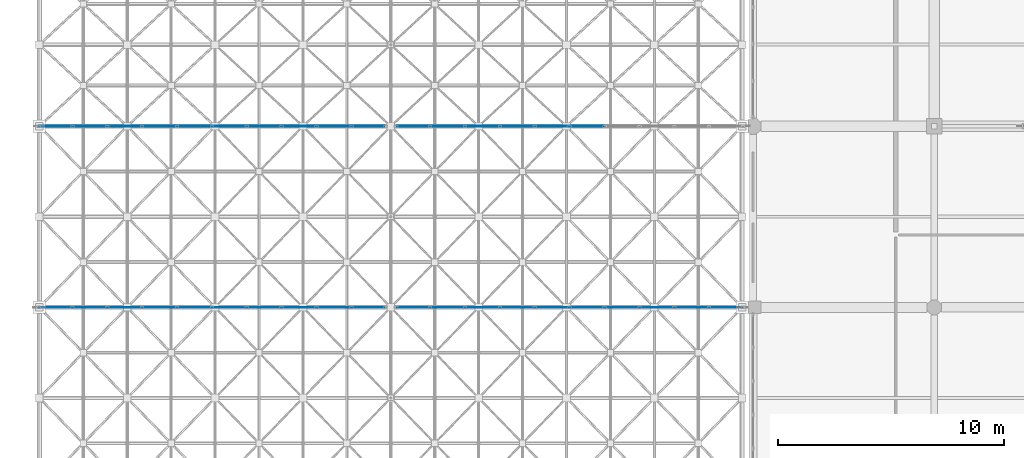
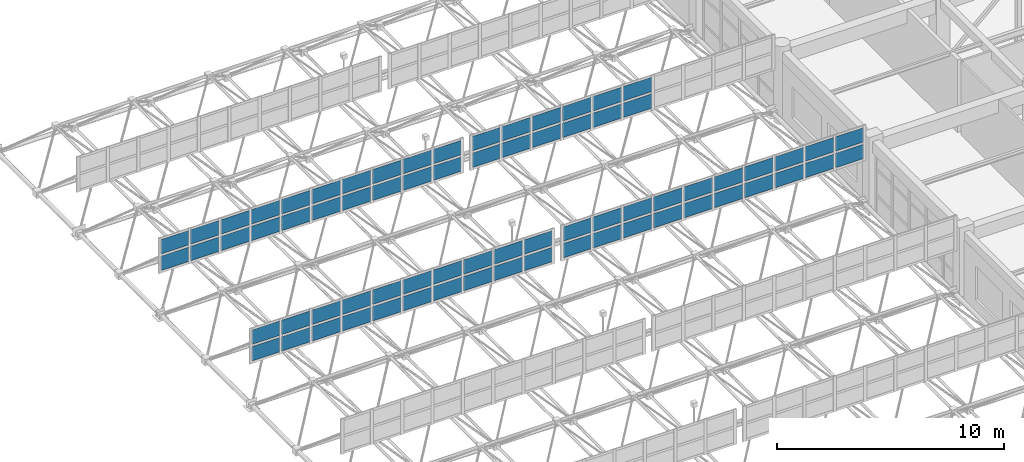
# One storey, part 148 of 195: 72 plates, 4 elements without a shape of their own.
"""IFC4 building model written with IfcOpenShell, lengths in metres."""

from ifc_helpers import new_model, si_unit, direction, frame, origin, origin_2d, place, context, subcontext, project, spatial, rectangle, extrude, material, layer, layer_set, type_object, element, aggregate, save


model = new_model("IFC4")

# Units and contexts
model_context = context("Model", 3, precision=1e-05, world=origin(), true_north=direction((0.0, 1.0)))
body_context = subcontext(model_context, "Body", "Model", "MODEL_VIEW")
ifc_project = project(units=[si_unit("LENGTHUNIT", "METRE"), si_unit("AREAUNIT", "SQUARE_METRE"), si_unit("VOLUMEUNIT", "CUBIC_METRE"), si_unit("PLANEANGLEUNIT", "RADIAN"), si_unit("MASSUNIT", "GRAM", prefix="KILO")], contexts=[model_context])

# Site, building, storey
site_placement = place(None, origin())
site = spatial("IfcSite", under=ifc_project, at=site_placement, CompositionType="ELEMENT")
building_placement = place(site_placement, origin())
building = spatial("IfcBuilding", under=site, at=building_placement, Name="Kharva Crest Polytechnic", CompositionType="ELEMENT")
storey_placement = place(building_placement, frame((0.0, 0.0, 9.0)))
storey = spatial("IfcBuildingStorey", under=building, at=storey_placement, Name="L02", CompositionType="ELEMENT", Elevation=9.0)

# Curtain wall, plates
ifc_material = material(Name="Tempered insulated glass", Category="glass")
curtain_wall_type = type_object("IfcCurtainWallType", Name="CW-SYS-NORTHLIGHT", PredefinedType="USERDEFINED", material=ifc_material)
curtain_wall_1_placement = place(storey_placement, origin())
curtain_wall_1 = element("IfcCurtainWall", 1, at=curtain_wall_1_placement, inside=storey, type_object=curtain_wall_type, Name="L02 Glazed Curtain Wall CW-195", ObjectType="CURTAIN WALL", PredefinedType="USERDEFINED")
ifc_layer = layer(ifc_material, 0.028076171875, Name="Tempered insulated glass")
ifc_layer_set = layer_set([ifc_layer], Name="Tempered insulated glass")
plate_type = type_object("IfcPlateType", Name="CWP-GLZ-28", PredefinedType="CURTAIN_PANEL", material=ifc_layer_set)
plate_1_placement = place(storey_placement, frame((1.18994140625, 70.800048828125, 2.969970703125), z_axis=(0.0, 0.0, 1.0), x_axis=(1.0, 0.0, 0.0)))
plate_1 = element("IfcPlate", 2, at=plate_1_placement, type_object=plate_type, Name="CW-195 panel 1.1", PredefinedType="CURTAIN_PANEL", context=body_context, shape_type="SweptSolid", body=[
    extrude(rectangle(XDim=1.419921875, YDim=0.028076171875, at=origin_2d()), origin(), (0.0, 0.0, 1.0), 0.77001953125),
])
plate_2_placement = place(storey_placement, frame((1.18994140625, 70.800048828125, 3.860107421875), z_axis=(0.0, 0.0, 1.0), x_axis=(1.0, 0.0, 0.0)))
plate_2 = element("IfcPlate", 3, at=plate_2_placement, type_object=plate_type, Name="CW-195 panel 1.2", PredefinedType="CURTAIN_PANEL", context=body_context, shape_type="SweptSolid", body=[
    extrude(rectangle(XDim=1.419921875, YDim=0.028076171875, at=origin_2d()), origin(), (0.0, 0.0, 1.0), 0.77001953125),
])
plate_3_placement = place(storey_placement, frame((2.7099609375, 70.800048828125, 2.969970703125), z_axis=(0.0, 0.0, 1.0), x_axis=(1.0, 0.0, 0.0)))
plate_3 = element("IfcPlate", 4, at=plate_3_placement, type_object=plate_type, Name="CW-195 panel 2.1", PredefinedType="CURTAIN_PANEL", context=body_context, shape_type="SweptSolid", body=[
    extrude(rectangle(XDim=1.4599609375, YDim=0.028076171875, at=origin_2d()), origin(), (0.0, 0.0, 1.0), 0.77001953125),
])
plate_4_placement = place(storey_placement, frame((2.7099609375, 70.800048828125, 3.860107421875), z_axis=(0.0, 0.0, 1.0), x_axis=(1.0, 0.0, 0.0)))
plate_4 = element("IfcPlate", 5, at=plate_4_placement, type_object=plate_type, Name="CW-195 panel 2.2", PredefinedType="CURTAIN_PANEL", context=body_context, shape_type="SweptSolid", body=[
    extrude(rectangle(XDim=1.4599609375, YDim=0.028076171875, at=origin_2d()), origin(), (0.0, 0.0, 1.0), 0.77001953125),
])
plate_5_placement = place(storey_placement, frame((4.25, 70.800048828125, 2.969970703125), z_axis=(0.0, 0.0, 1.0), x_axis=(1.0, 0.0, 0.0)))
plate_5 = element("IfcPlate", 6, at=plate_5_placement, type_object=plate_type, Name="CW-195 panel 3.1", PredefinedType="CURTAIN_PANEL", context=body_context, shape_type="SweptSolid", body=[
    extrude(rectangle(XDim=1.4599609375, YDim=0.028076171875, at=origin_2d()), origin(), (0.0, 0.0, 1.0), 0.77001953125),
])
plate_6_placement = place(storey_placement, frame((4.25, 70.800048828125, 3.860107421875), z_axis=(0.0, 0.0, 1.0), x_axis=(1.0, 0.0, 0.0)))
plate_6 = element("IfcPlate", 7, at=plate_6_placement, type_object=plate_type, Name="CW-195 panel 3.2", PredefinedType="CURTAIN_PANEL", context=body_context, shape_type="SweptSolid", body=[
    extrude(rectangle(XDim=1.4599609375, YDim=0.028076171875, at=origin_2d()), origin(), (0.0, 0.0, 1.0), 0.77001953125),
])
plate_7_placement = place(storey_placement, frame((5.7900390625, 70.800048828125, 2.969970703125), z_axis=(0.0, 0.0, 1.0), x_axis=(1.0, 0.0, 0.0)))
plate_7 = element("IfcPlate", 8, at=plate_7_placement, type_object=plate_type, Name="CW-195 panel 4.1", PredefinedType="CURTAIN_PANEL", context=body_context, shape_type="SweptSolid", body=[
    extrude(rectangle(XDim=1.4599609375, YDim=0.028076171875, at=origin_2d()), origin(), (0.0, 0.0, 1.0), 0.77001953125),
])
plate_8_placement = place(storey_placement, frame((5.7900390625, 70.800048828125, 3.860107421875), z_axis=(0.0, 0.0, 1.0), x_axis=(1.0, 0.0, 0.0)))
plate_8 = element("IfcPlate", 9, at=plate_8_placement, type_object=plate_type, Name="CW-195 panel 4.2", PredefinedType="CURTAIN_PANEL", context=body_context, shape_type="SweptSolid", body=[
    extrude(rectangle(XDim=1.4599609375, YDim=0.028076171875, at=origin_2d()), origin(), (0.0, 0.0, 1.0), 0.77001953125),
])
plate_9_placement = place(storey_placement, frame((7.330078125, 70.800048828125, 2.969970703125), z_axis=(0.0, 0.0, 1.0), x_axis=(1.0, 0.0, 0.0)))
plate_9 = element("IfcPlate", 10, at=plate_9_placement, type_object=plate_type, Name="CW-195 panel 5.1", PredefinedType="CURTAIN_PANEL", context=body_context, shape_type="SweptSolid", body=[
    extrude(rectangle(XDim=1.4599609375, YDim=0.028076171875, at=origin_2d()), origin(), (0.0, 0.0, 1.0), 0.77001953125),
])
plate_10_placement = place(storey_placement, frame((7.330078125, 70.800048828125, 3.860107421875), z_axis=(0.0, 0.0, 1.0), x_axis=(1.0, 0.0, 0.0)))
plate_10 = element("IfcPlate", 11, at=plate_10_placement, type_object=plate_type, Name="CW-195 panel 5.2", PredefinedType="CURTAIN_PANEL", context=body_context, shape_type="SweptSolid", body=[
    extrude(rectangle(XDim=1.4599609375, YDim=0.028076171875, at=origin_2d()), origin(), (0.0, 0.0, 1.0), 0.77001953125),
])
plate_11_placement = place(storey_placement, frame((8.8701171875, 70.800048828125, 2.969970703125), z_axis=(0.0, 0.0, 1.0), x_axis=(1.0, 0.0, 0.0)))
plate_11 = element("IfcPlate", 12, at=plate_11_placement, type_object=plate_type, Name="CW-195 panel 6.1", PredefinedType="CURTAIN_PANEL", context=body_context, shape_type="SweptSolid", body=[
    extrude(rectangle(XDim=1.4599609375, YDim=0.028076171875, at=origin_2d()), origin(), (0.0, 0.0, 1.0), 0.77001953125),
])
plate_12_placement = place(storey_placement, frame((8.8701171875, 70.800048828125, 3.860107421875), z_axis=(0.0, 0.0, 1.0), x_axis=(1.0, 0.0, 0.0)))
plate_12 = element("IfcPlate", 13, at=plate_12_placement, type_object=plate_type, Name="CW-195 panel 6.2", PredefinedType="CURTAIN_PANEL", context=body_context, shape_type="SweptSolid", body=[
    extrude(rectangle(XDim=1.4599609375, YDim=0.028076171875, at=origin_2d()), origin(), (0.0, 0.0, 1.0), 0.77001953125),
])
plate_13_placement = place(storey_placement, frame((10.409912109375, 70.800048828125, 2.969970703125), z_axis=(0.0, 0.0, 1.0), x_axis=(1.0, 0.0, 0.0)))
plate_13 = element("IfcPlate", 14, at=plate_13_placement, type_object=plate_type, Name="CW-195 panel 7.1", PredefinedType="CURTAIN_PANEL", context=body_context, shape_type="SweptSolid", body=[
    extrude(rectangle(XDim=1.4599609375, YDim=0.028076171875, at=origin_2d()), origin(), (0.0, 0.0, 1.0), 0.77001953125),
])
plate_14_placement = place(storey_placement, frame((10.409912109375, 70.800048828125, 3.860107421875), z_axis=(0.0, 0.0, 1.0), x_axis=(1.0, 0.0, 0.0)))
plate_14 = element("IfcPlate", 15, at=plate_14_placement, type_object=plate_type, Name="CW-195 panel 7.2", PredefinedType="CURTAIN_PANEL", context=body_context, shape_type="SweptSolid", body=[
    extrude(rectangle(XDim=1.4599609375, YDim=0.028076171875, at=origin_2d()), origin(), (0.0, 0.0, 1.0), 0.77001953125),
])
plate_15_placement = place(storey_placement, frame((11.949951171875, 70.800048828125, 2.969970703125), z_axis=(0.0, 0.0, 1.0), x_axis=(1.0, 0.0, 0.0)))
plate_15 = element("IfcPlate", 16, at=plate_15_placement, type_object=plate_type, Name="CW-195 panel 8.1", PredefinedType="CURTAIN_PANEL", context=body_context, shape_type="SweptSolid", body=[
    extrude(rectangle(XDim=1.4599609375, YDim=0.028076171875, at=origin_2d()), origin(), (0.0, 0.0, 1.0), 0.77001953125),
])
plate_16_placement = place(storey_placement, frame((11.949951171875, 70.800048828125, 3.860107421875), z_axis=(0.0, 0.0, 1.0), x_axis=(1.0, 0.0, 0.0)))
plate_16 = element("IfcPlate", 17, at=plate_16_placement, type_object=plate_type, Name="CW-195 panel 8.2", PredefinedType="CURTAIN_PANEL", context=body_context, shape_type="SweptSolid", body=[
    extrude(rectangle(XDim=1.4599609375, YDim=0.028076171875, at=origin_2d()), origin(), (0.0, 0.0, 1.0), 0.77001953125),
])
plate_17_placement = place(storey_placement, frame((13.489990234375, 70.800048828125, 2.969970703125), z_axis=(0.0, 0.0, 1.0), x_axis=(1.0, 0.0, 0.0)))
plate_17 = element("IfcPlate", 18, at=plate_17_placement, type_object=plate_type, Name="CW-195 panel 9.1", PredefinedType="CURTAIN_PANEL", context=body_context, shape_type="SweptSolid", body=[
    extrude(rectangle(XDim=1.4599609375, YDim=0.028076171875, at=origin_2d()), origin(), (0.0, 0.0, 1.0), 0.77001953125),
])
plate_18_placement = place(storey_placement, frame((13.489990234375, 70.800048828125, 3.860107421875), z_axis=(0.0, 0.0, 1.0), x_axis=(1.0, 0.0, 0.0)))
plate_18 = element("IfcPlate", 19, at=plate_18_placement, type_object=plate_type, Name="CW-195 panel 9.2", PredefinedType="CURTAIN_PANEL", context=body_context, shape_type="SweptSolid", body=[
    extrude(rectangle(XDim=1.4599609375, YDim=0.028076171875, at=origin_2d()), origin(), (0.0, 0.0, 1.0), 0.77001953125),
])
plate_19_placement = place(storey_placement, frame((15.010009765625, 70.800048828125, 2.969970703125), z_axis=(0.0, 0.0, 1.0), x_axis=(1.0, 0.0, 0.0)))
plate_19 = element("IfcPlate", 20, at=plate_19_placement, type_object=plate_type, Name="CW-195 panel 10.1", PredefinedType="CURTAIN_PANEL", context=body_context, shape_type="SweptSolid", body=[
    extrude(rectangle(XDim=1.419921875, YDim=0.028076171875, at=origin_2d()), origin(), (0.0, 0.0, 1.0), 0.77001953125),
])
plate_20_placement = place(storey_placement, frame((15.010009765625, 70.800048828125, 3.860107421875), z_axis=(0.0, 0.0, 1.0), x_axis=(1.0, 0.0, 0.0)))
plate_20 = element("IfcPlate", 21, at=plate_20_placement, type_object=plate_type, Name="CW-195 panel 10.2", PredefinedType="CURTAIN_PANEL", context=body_context, shape_type="SweptSolid", body=[
    extrude(rectangle(XDim=1.419921875, YDim=0.028076171875, at=origin_2d()), origin(), (0.0, 0.0, 1.0), 0.77001953125),
])
aggregate(curtain_wall_1, [plate_1, plate_2, plate_3, plate_4, plate_5, plate_6, plate_7, plate_8, plate_9, plate_10, plate_11, plate_12, plate_13, plate_14, plate_15, plate_16, plate_17, plate_18, plate_19, plate_20])

curtain_wall_2_placement = place(storey_placement, origin())
curtain_wall_2 = element("IfcCurtainWall", 22, at=curtain_wall_2_placement, inside=storey, type_object=curtain_wall_type, Name="L02 Glazed Curtain Wall CW-196", ObjectType="CURTAIN WALL", PredefinedType="USERDEFINED")
plate_21_placement = place(storey_placement, frame((16.989990234375, 70.800048828125, 2.969970703125), z_axis=(0.0, 0.0, 1.0), x_axis=(1.0, 0.0, 0.0)))
plate_21 = element("IfcPlate", 23, at=plate_21_placement, type_object=plate_type, Name="CW-196 panel 1.1", PredefinedType="CURTAIN_PANEL", context=body_context, shape_type="SweptSolid", body=[
    extrude(rectangle(XDim=1.419921875, YDim=0.028076171875, at=origin_2d()), origin(), (0.0, 0.0, 1.0), 0.77001953125),
])
plate_22_placement = place(storey_placement, frame((16.989990234375, 70.800048828125, 3.860107421875), z_axis=(0.0, 0.0, 1.0), x_axis=(1.0, 0.0, 0.0)))
plate_22 = element("IfcPlate", 24, at=plate_22_placement, type_object=plate_type, Name="CW-196 panel 1.2", PredefinedType="CURTAIN_PANEL", context=body_context, shape_type="SweptSolid", body=[
    extrude(rectangle(XDim=1.419921875, YDim=0.028076171875, at=origin_2d()), origin(), (0.0, 0.0, 1.0), 0.77001953125),
])
plate_23_placement = place(storey_placement, frame((18.510009765625, 70.800048828125, 2.969970703125), z_axis=(0.0, 0.0, 1.0), x_axis=(1.0, 0.0, 0.0)))
plate_23 = element("IfcPlate", 25, at=plate_23_placement, type_object=plate_type, Name="CW-196 panel 2.1", PredefinedType="CURTAIN_PANEL", context=body_context, shape_type="SweptSolid", body=[
    extrude(rectangle(XDim=1.4599609375, YDim=0.028076171875, at=origin_2d()), origin(), (0.0, 0.0, 1.0), 0.77001953125),
])
plate_24_placement = place(storey_placement, frame((18.510009765625, 70.800048828125, 3.860107421875), z_axis=(0.0, 0.0, 1.0), x_axis=(1.0, 0.0, 0.0)))
plate_24 = element("IfcPlate", 26, at=plate_24_placement, type_object=plate_type, Name="CW-196 panel 2.2", PredefinedType="CURTAIN_PANEL", context=body_context, shape_type="SweptSolid", body=[
    extrude(rectangle(XDim=1.4599609375, YDim=0.028076171875, at=origin_2d()), origin(), (0.0, 0.0, 1.0), 0.77001953125),
])
plate_25_placement = place(storey_placement, frame((20.050048828125, 70.800048828125, 2.969970703125), z_axis=(0.0, 0.0, 1.0), x_axis=(1.0, 0.0, 0.0)))
plate_25 = element("IfcPlate", 27, at=plate_25_placement, type_object=plate_type, Name="CW-196 panel 3.1", PredefinedType="CURTAIN_PANEL", context=body_context, shape_type="SweptSolid", body=[
    extrude(rectangle(XDim=1.4599609375, YDim=0.028076171875, at=origin_2d()), origin(), (0.0, 0.0, 1.0), 0.77001953125),
])
plate_26_placement = place(storey_placement, frame((20.050048828125, 70.800048828125, 3.860107421875), z_axis=(0.0, 0.0, 1.0), x_axis=(1.0, 0.0, 0.0)))
plate_26 = element("IfcPlate", 28, at=plate_26_placement, type_object=plate_type, Name="CW-196 panel 3.2", PredefinedType="CURTAIN_PANEL", context=body_context, shape_type="SweptSolid", body=[
    extrude(rectangle(XDim=1.4599609375, YDim=0.028076171875, at=origin_2d()), origin(), (0.0, 0.0, 1.0), 0.77001953125),
])
plate_27_placement = place(storey_placement, frame((21.590087890625, 70.800048828125, 2.969970703125), z_axis=(0.0, 0.0, 1.0), x_axis=(1.0, 0.0, 0.0)))
plate_27 = element("IfcPlate", 29, at=plate_27_placement, type_object=plate_type, Name="CW-196 panel 4.1", PredefinedType="CURTAIN_PANEL", context=body_context, shape_type="SweptSolid", body=[
    extrude(rectangle(XDim=1.4599609375, YDim=0.028076171875, at=origin_2d()), origin(), (0.0, 0.0, 1.0), 0.77001953125),
])
plate_28_placement = place(storey_placement, frame((21.590087890625, 70.800048828125, 3.860107421875), z_axis=(0.0, 0.0, 1.0), x_axis=(1.0, 0.0, 0.0)))
plate_28 = element("IfcPlate", 30, at=plate_28_placement, type_object=plate_type, Name="CW-196 panel 4.2", PredefinedType="CURTAIN_PANEL", context=body_context, shape_type="SweptSolid", body=[
    extrude(rectangle(XDim=1.4599609375, YDim=0.028076171875, at=origin_2d()), origin(), (0.0, 0.0, 1.0), 0.77001953125),
])
plate_29_placement = place(storey_placement, frame((23.1298828125, 70.800048828125, 2.969970703125), z_axis=(0.0, 0.0, 1.0), x_axis=(1.0, 0.0, 0.0)))
plate_29 = element("IfcPlate", 31, at=plate_29_placement, type_object=plate_type, Name="CW-196 panel 5.1", PredefinedType="CURTAIN_PANEL", context=body_context, shape_type="SweptSolid", body=[
    extrude(rectangle(XDim=1.4599609375, YDim=0.028076171875, at=origin_2d()), origin(), (0.0, 0.0, 1.0), 0.77001953125),
])
plate_30_placement = place(storey_placement, frame((23.1298828125, 70.800048828125, 3.860107421875), z_axis=(0.0, 0.0, 1.0), x_axis=(1.0, 0.0, 0.0)))
plate_30 = element("IfcPlate", 32, at=plate_30_placement, type_object=plate_type, Name="CW-196 panel 5.2", PredefinedType="CURTAIN_PANEL", context=body_context, shape_type="SweptSolid", body=[
    extrude(rectangle(XDim=1.4599609375, YDim=0.028076171875, at=origin_2d()), origin(), (0.0, 0.0, 1.0), 0.77001953125),
])
plate_31_placement = place(storey_placement, frame((24.669921875, 70.800048828125, 2.969970703125), z_axis=(0.0, 0.0, 1.0), x_axis=(1.0, 0.0, 0.0)))
plate_31 = element("IfcPlate", 33, at=plate_31_placement, type_object=plate_type, Name="CW-196 panel 6.1", PredefinedType="CURTAIN_PANEL", context=body_context, shape_type="SweptSolid", body=[
    extrude(rectangle(XDim=1.4599609375, YDim=0.028076171875, at=origin_2d()), origin(), (0.0, 0.0, 1.0), 0.77001953125),
])
plate_32_placement = place(storey_placement, frame((24.669921875, 70.800048828125, 3.860107421875), z_axis=(0.0, 0.0, 1.0), x_axis=(1.0, 0.0, 0.0)))
plate_32 = element("IfcPlate", 34, at=plate_32_placement, type_object=plate_type, Name="CW-196 panel 6.2", PredefinedType="CURTAIN_PANEL", context=body_context, shape_type="SweptSolid", body=[
    extrude(rectangle(XDim=1.4599609375, YDim=0.028076171875, at=origin_2d()), origin(), (0.0, 0.0, 1.0), 0.77001953125),
])
plate_33_placement = place(storey_placement, frame((26.2099609375, 70.800048828125, 2.969970703125), z_axis=(0.0, 0.0, 1.0), x_axis=(1.0, 0.0, 0.0)))
plate_33 = element("IfcPlate", 35, at=plate_33_placement, type_object=plate_type, Name="CW-196 panel 7.1", PredefinedType="CURTAIN_PANEL", context=body_context, shape_type="SweptSolid", body=[
    extrude(rectangle(XDim=1.4599609375, YDim=0.028076171875, at=origin_2d()), origin(), (0.0, 0.0, 1.0), 0.77001953125),
])
plate_34_placement = place(storey_placement, frame((26.2099609375, 70.800048828125, 3.860107421875), z_axis=(0.0, 0.0, 1.0), x_axis=(1.0, 0.0, 0.0)))
plate_34 = element("IfcPlate", 36, at=plate_34_placement, type_object=plate_type, Name="CW-196 panel 7.2", PredefinedType="CURTAIN_PANEL", context=body_context, shape_type="SweptSolid", body=[
    extrude(rectangle(XDim=1.4599609375, YDim=0.028076171875, at=origin_2d()), origin(), (0.0, 0.0, 1.0), 0.77001953125),
])
plate_35_placement = place(storey_placement, frame((27.75, 70.800048828125, 2.969970703125), z_axis=(0.0, 0.0, 1.0), x_axis=(1.0, 0.0, 0.0)))
plate_35 = element("IfcPlate", 37, at=plate_35_placement, type_object=plate_type, Name="CW-196 panel 8.1", PredefinedType="CURTAIN_PANEL", context=body_context, shape_type="SweptSolid", body=[
    extrude(rectangle(XDim=1.4599609375, YDim=0.028076171875, at=origin_2d()), origin(), (0.0, 0.0, 1.0), 0.77001953125),
])
plate_36_placement = place(storey_placement, frame((27.75, 70.800048828125, 3.860107421875), z_axis=(0.0, 0.0, 1.0), x_axis=(1.0, 0.0, 0.0)))
plate_36 = element("IfcPlate", 38, at=plate_36_placement, type_object=plate_type, Name="CW-196 panel 8.2", PredefinedType="CURTAIN_PANEL", context=body_context, shape_type="SweptSolid", body=[
    extrude(rectangle(XDim=1.4599609375, YDim=0.028076171875, at=origin_2d()), origin(), (0.0, 0.0, 1.0), 0.77001953125),
])
plate_37_placement = place(storey_placement, frame((29.2900390625, 70.800048828125, 2.969970703125), z_axis=(0.0, 0.0, 1.0), x_axis=(1.0, 0.0, 0.0)))
plate_37 = element("IfcPlate", 39, at=plate_37_placement, type_object=plate_type, Name="CW-196 panel 9.1", PredefinedType="CURTAIN_PANEL", context=body_context, shape_type="SweptSolid", body=[
    extrude(rectangle(XDim=1.4599609375, YDim=0.028076171875, at=origin_2d()), origin(), (0.0, 0.0, 1.0), 0.77001953125),
])
plate_38_placement = place(storey_placement, frame((29.2900390625, 70.800048828125, 3.860107421875), z_axis=(0.0, 0.0, 1.0), x_axis=(1.0, 0.0, 0.0)))
plate_38 = element("IfcPlate", 40, at=plate_38_placement, type_object=plate_type, Name="CW-196 panel 9.2", PredefinedType="CURTAIN_PANEL", context=body_context, shape_type="SweptSolid", body=[
    extrude(rectangle(XDim=1.4599609375, YDim=0.028076171875, at=origin_2d()), origin(), (0.0, 0.0, 1.0), 0.77001953125),
])
plate_39_placement = place(storey_placement, frame((30.81005859375, 70.800048828125, 2.969970703125), z_axis=(0.0, 0.0, 1.0), x_axis=(1.0, 0.0, 0.0)))
plate_39 = element("IfcPlate", 41, at=plate_39_placement, type_object=plate_type, Name="CW-196 panel 10.1", PredefinedType="CURTAIN_PANEL", context=body_context, shape_type="SweptSolid", body=[
    extrude(rectangle(XDim=1.419921875, YDim=0.028076171875, at=origin_2d()), origin(), (0.0, 0.0, 1.0), 0.77001953125),
])
plate_40_placement = place(storey_placement, frame((30.81005859375, 70.800048828125, 3.860107421875), z_axis=(0.0, 0.0, 1.0), x_axis=(1.0, 0.0, 0.0)))
plate_40 = element("IfcPlate", 42, at=plate_40_placement, type_object=plate_type, Name="CW-196 panel 10.2", PredefinedType="CURTAIN_PANEL", context=body_context, shape_type="SweptSolid", body=[
    extrude(rectangle(XDim=1.419921875, YDim=0.028076171875, at=origin_2d()), origin(), (0.0, 0.0, 1.0), 0.77001953125),
])
aggregate(curtain_wall_2, [plate_21, plate_22, plate_23, plate_24, plate_25, plate_26, plate_27, plate_28, plate_29, plate_30, plate_31, plate_32, plate_33, plate_34, plate_35, plate_36, plate_37, plate_38, plate_39, plate_40])

curtain_wall_3_placement = place(storey_placement, origin())
curtain_wall_3 = element("IfcCurtainWall", 43, at=curtain_wall_3_placement, inside=storey, type_object=curtain_wall_type, Name="L02 Glazed Curtain Wall CW-197", ObjectType="CURTAIN WALL", PredefinedType="USERDEFINED")
plate_41_placement = place(storey_placement, frame((1.18994140625, 78.800048828125, 2.969970703125), z_axis=(0.0, 0.0, 1.0), x_axis=(1.0, 0.0, 0.0)))
plate_41 = element("IfcPlate", 44, at=plate_41_placement, type_object=plate_type, Name="CW-197 panel 1.1", PredefinedType="CURTAIN_PANEL", context=body_context, shape_type="SweptSolid", body=[
    extrude(rectangle(XDim=1.419921875, YDim=0.028076171875, at=origin_2d()), origin(), (0.0, 0.0, 1.0), 0.77001953125),
])
plate_42_placement = place(storey_placement, frame((1.18994140625, 78.800048828125, 3.860107421875), z_axis=(0.0, 0.0, 1.0), x_axis=(1.0, 0.0, 0.0)))
plate_42 = element("IfcPlate", 45, at=plate_42_placement, type_object=plate_type, Name="CW-197 panel 1.2", PredefinedType="CURTAIN_PANEL", context=body_context, shape_type="SweptSolid", body=[
    extrude(rectangle(XDim=1.419921875, YDim=0.028076171875, at=origin_2d()), origin(), (0.0, 0.0, 1.0), 0.77001953125),
])
plate_43_placement = place(storey_placement, frame((2.7099609375, 78.800048828125, 2.969970703125), z_axis=(0.0, 0.0, 1.0), x_axis=(1.0, 0.0, 0.0)))
plate_43 = element("IfcPlate", 46, at=plate_43_placement, type_object=plate_type, Name="CW-197 panel 2.1", PredefinedType="CURTAIN_PANEL", context=body_context, shape_type="SweptSolid", body=[
    extrude(rectangle(XDim=1.4599609375, YDim=0.028076171875, at=origin_2d()), origin(), (0.0, 0.0, 1.0), 0.77001953125),
])
plate_44_placement = place(storey_placement, frame((2.7099609375, 78.800048828125, 3.860107421875), z_axis=(0.0, 0.0, 1.0), x_axis=(1.0, 0.0, 0.0)))
plate_44 = element("IfcPlate", 47, at=plate_44_placement, type_object=plate_type, Name="CW-197 panel 2.2", PredefinedType="CURTAIN_PANEL", context=body_context, shape_type="SweptSolid", body=[
    extrude(rectangle(XDim=1.4599609375, YDim=0.028076171875, at=origin_2d()), origin(), (0.0, 0.0, 1.0), 0.77001953125),
])
plate_45_placement = place(storey_placement, frame((4.25, 78.800048828125, 2.969970703125), z_axis=(0.0, 0.0, 1.0), x_axis=(1.0, 0.0, 0.0)))
plate_45 = element("IfcPlate", 48, at=plate_45_placement, type_object=plate_type, Name="CW-197 panel 3.1", PredefinedType="CURTAIN_PANEL", context=body_context, shape_type="SweptSolid", body=[
    extrude(rectangle(XDim=1.4599609375, YDim=0.028076171875, at=origin_2d()), origin(), (0.0, 0.0, 1.0), 0.77001953125),
])
plate_46_placement = place(storey_placement, frame((4.25, 78.800048828125, 3.860107421875), z_axis=(0.0, 0.0, 1.0), x_axis=(1.0, 0.0, 0.0)))
plate_46 = element("IfcPlate", 49, at=plate_46_placement, type_object=plate_type, Name="CW-197 panel 3.2", PredefinedType="CURTAIN_PANEL", context=body_context, shape_type="SweptSolid", body=[
    extrude(rectangle(XDim=1.4599609375, YDim=0.028076171875, at=origin_2d()), origin(), (0.0, 0.0, 1.0), 0.77001953125),
])
plate_47_placement = place(storey_placement, frame((5.7900390625, 78.800048828125, 2.969970703125), z_axis=(0.0, 0.0, 1.0), x_axis=(1.0, 0.0, 0.0)))
plate_47 = element("IfcPlate", 50, at=plate_47_placement, type_object=plate_type, Name="CW-197 panel 4.1", PredefinedType="CURTAIN_PANEL", context=body_context, shape_type="SweptSolid", body=[
    extrude(rectangle(XDim=1.4599609375, YDim=0.028076171875, at=origin_2d()), origin(), (0.0, 0.0, 1.0), 0.77001953125),
])
plate_48_placement = place(storey_placement, frame((5.7900390625, 78.800048828125, 3.860107421875), z_axis=(0.0, 0.0, 1.0), x_axis=(1.0, 0.0, 0.0)))
plate_48 = element("IfcPlate", 51, at=plate_48_placement, type_object=plate_type, Name="CW-197 panel 4.2", PredefinedType="CURTAIN_PANEL", context=body_context, shape_type="SweptSolid", body=[
    extrude(rectangle(XDim=1.4599609375, YDim=0.028076171875, at=origin_2d()), origin(), (0.0, 0.0, 1.0), 0.77001953125),
])
plate_49_placement = place(storey_placement, frame((7.330078125, 78.800048828125, 2.969970703125), z_axis=(0.0, 0.0, 1.0), x_axis=(1.0, 0.0, 0.0)))
plate_49 = element("IfcPlate", 52, at=plate_49_placement, type_object=plate_type, Name="CW-197 panel 5.1", PredefinedType="CURTAIN_PANEL", context=body_context, shape_type="SweptSolid", body=[
    extrude(rectangle(XDim=1.4599609375, YDim=0.028076171875, at=origin_2d()), origin(), (0.0, 0.0, 1.0), 0.77001953125),
])
plate_50_placement = place(storey_placement, frame((7.330078125, 78.800048828125, 3.860107421875), z_axis=(0.0, 0.0, 1.0), x_axis=(1.0, 0.0, 0.0)))
plate_50 = element("IfcPlate", 53, at=plate_50_placement, type_object=plate_type, Name="CW-197 panel 5.2", PredefinedType="CURTAIN_PANEL", context=body_context, shape_type="SweptSolid", body=[
    extrude(rectangle(XDim=1.4599609375, YDim=0.028076171875, at=origin_2d()), origin(), (0.0, 0.0, 1.0), 0.77001953125),
])
plate_51_placement = place(storey_placement, frame((8.8701171875, 78.800048828125, 2.969970703125), z_axis=(0.0, 0.0, 1.0), x_axis=(1.0, 0.0, 0.0)))
plate_51 = element("IfcPlate", 54, at=plate_51_placement, type_object=plate_type, Name="CW-197 panel 6.1", PredefinedType="CURTAIN_PANEL", context=body_context, shape_type="SweptSolid", body=[
    extrude(rectangle(XDim=1.4599609375, YDim=0.028076171875, at=origin_2d()), origin(), (0.0, 0.0, 1.0), 0.77001953125),
])
plate_52_placement = place(storey_placement, frame((8.8701171875, 78.800048828125, 3.860107421875), z_axis=(0.0, 0.0, 1.0), x_axis=(1.0, 0.0, 0.0)))
plate_52 = element("IfcPlate", 55, at=plate_52_placement, type_object=plate_type, Name="CW-197 panel 6.2", PredefinedType="CURTAIN_PANEL", context=body_context, shape_type="SweptSolid", body=[
    extrude(rectangle(XDim=1.4599609375, YDim=0.028076171875, at=origin_2d()), origin(), (0.0, 0.0, 1.0), 0.77001953125),
])
plate_53_placement = place(storey_placement, frame((10.409912109375, 78.800048828125, 2.969970703125), z_axis=(0.0, 0.0, 1.0), x_axis=(1.0, 0.0, 0.0)))
plate_53 = element("IfcPlate", 56, at=plate_53_placement, type_object=plate_type, Name="CW-197 panel 7.1", PredefinedType="CURTAIN_PANEL", context=body_context, shape_type="SweptSolid", body=[
    extrude(rectangle(XDim=1.4599609375, YDim=0.028076171875, at=origin_2d()), origin(), (0.0, 0.0, 1.0), 0.77001953125),
])
plate_54_placement = place(storey_placement, frame((10.409912109375, 78.800048828125, 3.860107421875), z_axis=(0.0, 0.0, 1.0), x_axis=(1.0, 0.0, 0.0)))
plate_54 = element("IfcPlate", 57, at=plate_54_placement, type_object=plate_type, Name="CW-197 panel 7.2", PredefinedType="CURTAIN_PANEL", context=body_context, shape_type="SweptSolid", body=[
    extrude(rectangle(XDim=1.4599609375, YDim=0.028076171875, at=origin_2d()), origin(), (0.0, 0.0, 1.0), 0.77001953125),
])
plate_55_placement = place(storey_placement, frame((11.949951171875, 78.800048828125, 2.969970703125), z_axis=(0.0, 0.0, 1.0), x_axis=(1.0, 0.0, 0.0)))
plate_55 = element("IfcPlate", 58, at=plate_55_placement, type_object=plate_type, Name="CW-197 panel 8.1", PredefinedType="CURTAIN_PANEL", context=body_context, shape_type="SweptSolid", body=[
    extrude(rectangle(XDim=1.4599609375, YDim=0.028076171875, at=origin_2d()), origin(), (0.0, 0.0, 1.0), 0.77001953125),
])
plate_56_placement = place(storey_placement, frame((11.949951171875, 78.800048828125, 3.860107421875), z_axis=(0.0, 0.0, 1.0), x_axis=(1.0, 0.0, 0.0)))
plate_56 = element("IfcPlate", 59, at=plate_56_placement, type_object=plate_type, Name="CW-197 panel 8.2", PredefinedType="CURTAIN_PANEL", context=body_context, shape_type="SweptSolid", body=[
    extrude(rectangle(XDim=1.4599609375, YDim=0.028076171875, at=origin_2d()), origin(), (0.0, 0.0, 1.0), 0.77001953125),
])
plate_57_placement = place(storey_placement, frame((13.489990234375, 78.800048828125, 2.969970703125), z_axis=(0.0, 0.0, 1.0), x_axis=(1.0, 0.0, 0.0)))
plate_57 = element("IfcPlate", 60, at=plate_57_placement, type_object=plate_type, Name="CW-197 panel 9.1", PredefinedType="CURTAIN_PANEL", context=body_context, shape_type="SweptSolid", body=[
    extrude(rectangle(XDim=1.4599609375, YDim=0.028076171875, at=origin_2d()), origin(), (0.0, 0.0, 1.0), 0.77001953125),
])
plate_58_placement = place(storey_placement, frame((13.489990234375, 78.800048828125, 3.860107421875), z_axis=(0.0, 0.0, 1.0), x_axis=(1.0, 0.0, 0.0)))
plate_58 = element("IfcPlate", 61, at=plate_58_placement, type_object=plate_type, Name="CW-197 panel 9.2", PredefinedType="CURTAIN_PANEL", context=body_context, shape_type="SweptSolid", body=[
    extrude(rectangle(XDim=1.4599609375, YDim=0.028076171875, at=origin_2d()), origin(), (0.0, 0.0, 1.0), 0.77001953125),
])
plate_59_placement = place(storey_placement, frame((15.010009765625, 78.800048828125, 2.969970703125), z_axis=(0.0, 0.0, 1.0), x_axis=(1.0, 0.0, 0.0)))
plate_59 = element("IfcPlate", 62, at=plate_59_placement, type_object=plate_type, Name="CW-197 panel 10.1", PredefinedType="CURTAIN_PANEL", context=body_context, shape_type="SweptSolid", body=[
    extrude(rectangle(XDim=1.419921875, YDim=0.028076171875, at=origin_2d()), origin(), (0.0, 0.0, 1.0), 0.77001953125),
])
plate_60_placement = place(storey_placement, frame((15.010009765625, 78.800048828125, 3.860107421875), z_axis=(0.0, 0.0, 1.0), x_axis=(1.0, 0.0, 0.0)))
plate_60 = element("IfcPlate", 63, at=plate_60_placement, type_object=plate_type, Name="CW-197 panel 10.2", PredefinedType="CURTAIN_PANEL", context=body_context, shape_type="SweptSolid", body=[
    extrude(rectangle(XDim=1.419921875, YDim=0.028076171875, at=origin_2d()), origin(), (0.0, 0.0, 1.0), 0.77001953125),
])
aggregate(curtain_wall_3, [plate_41, plate_42, plate_43, plate_44, plate_45, plate_46, plate_47, plate_48, plate_49, plate_50, plate_51, plate_52, plate_53, plate_54, plate_55, plate_56, plate_57, plate_58, plate_59, plate_60])

curtain_wall_4_placement = place(storey_placement, origin())
curtain_wall_4 = element("IfcCurtainWall", 64, at=curtain_wall_4_placement, inside=storey, type_object=curtain_wall_type, Name="L02 Glazed Curtain Wall CW-198", ObjectType="CURTAIN WALL", PredefinedType="USERDEFINED")
plate_61_placement = place(storey_placement, frame((16.989990234375, 78.800048828125, 2.969970703125), z_axis=(0.0, 0.0, 1.0), x_axis=(1.0, 0.0, 0.0)))
plate_61 = element("IfcPlate", 65, at=plate_61_placement, type_object=plate_type, Name="CW-198 panel 1.1", PredefinedType="CURTAIN_PANEL", context=body_context, shape_type="SweptSolid", body=[
    extrude(rectangle(XDim=1.419921875, YDim=0.028076171875, at=origin_2d()), origin(), (0.0, 0.0, 1.0), 0.77001953125),
])
plate_62_placement = place(storey_placement, frame((16.989990234375, 78.800048828125, 3.860107421875), z_axis=(0.0, 0.0, 1.0), x_axis=(1.0, 0.0, 0.0)))
plate_62 = element("IfcPlate", 66, at=plate_62_placement, type_object=plate_type, Name="CW-198 panel 1.2", PredefinedType="CURTAIN_PANEL", context=body_context, shape_type="SweptSolid", body=[
    extrude(rectangle(XDim=1.419921875, YDim=0.028076171875, at=origin_2d()), origin(), (0.0, 0.0, 1.0), 0.77001953125),
])
plate_63_placement = place(storey_placement, frame((18.510009765625, 78.800048828125, 2.969970703125), z_axis=(0.0, 0.0, 1.0), x_axis=(1.0, 0.0, 0.0)))
plate_63 = element("IfcPlate", 67, at=plate_63_placement, type_object=plate_type, Name="CW-198 panel 2.1", PredefinedType="CURTAIN_PANEL", context=body_context, shape_type="SweptSolid", body=[
    extrude(rectangle(XDim=1.4599609375, YDim=0.028076171875, at=origin_2d()), origin(), (0.0, 0.0, 1.0), 0.77001953125),
])
plate_64_placement = place(storey_placement, frame((18.510009765625, 78.800048828125, 3.860107421875), z_axis=(0.0, 0.0, 1.0), x_axis=(1.0, 0.0, 0.0)))
plate_64 = element("IfcPlate", 68, at=plate_64_placement, type_object=plate_type, Name="CW-198 panel 2.2", PredefinedType="CURTAIN_PANEL", context=body_context, shape_type="SweptSolid", body=[
    extrude(rectangle(XDim=1.4599609375, YDim=0.028076171875, at=origin_2d()), origin(), (0.0, 0.0, 1.0), 0.77001953125),
])
plate_65_placement = place(storey_placement, frame((20.050048828125, 78.800048828125, 2.969970703125), z_axis=(0.0, 0.0, 1.0), x_axis=(1.0, 0.0, 0.0)))
plate_65 = element("IfcPlate", 69, at=plate_65_placement, type_object=plate_type, Name="CW-198 panel 3.1", PredefinedType="CURTAIN_PANEL", context=body_context, shape_type="SweptSolid", body=[
    extrude(rectangle(XDim=1.4599609375, YDim=0.028076171875, at=origin_2d()), origin(), (0.0, 0.0, 1.0), 0.77001953125),
])
plate_66_placement = place(storey_placement, frame((20.050048828125, 78.800048828125, 3.860107421875), z_axis=(0.0, 0.0, 1.0), x_axis=(1.0, 0.0, 0.0)))
plate_66 = element("IfcPlate", 70, at=plate_66_placement, type_object=plate_type, Name="CW-198 panel 3.2", PredefinedType="CURTAIN_PANEL", context=body_context, shape_type="SweptSolid", body=[
    extrude(rectangle(XDim=1.4599609375, YDim=0.028076171875, at=origin_2d()), origin(), (0.0, 0.0, 1.0), 0.77001953125),
])
plate_67_placement = place(storey_placement, frame((21.590087890625, 78.800048828125, 2.969970703125), z_axis=(0.0, 0.0, 1.0), x_axis=(1.0, 0.0, 0.0)))
plate_67 = element("IfcPlate", 71, at=plate_67_placement, type_object=plate_type, Name="CW-198 panel 4.1", PredefinedType="CURTAIN_PANEL", context=body_context, shape_type="SweptSolid", body=[
    extrude(rectangle(XDim=1.4599609375, YDim=0.028076171875, at=origin_2d()), origin(), (0.0, 0.0, 1.0), 0.77001953125),
])
plate_68_placement = place(storey_placement, frame((21.590087890625, 78.800048828125, 3.860107421875), z_axis=(0.0, 0.0, 1.0), x_axis=(1.0, 0.0, 0.0)))
plate_68 = element("IfcPlate", 72, at=plate_68_placement, type_object=plate_type, Name="CW-198 panel 4.2", PredefinedType="CURTAIN_PANEL", context=body_context, shape_type="SweptSolid", body=[
    extrude(rectangle(XDim=1.4599609375, YDim=0.028076171875, at=origin_2d()), origin(), (0.0, 0.0, 1.0), 0.77001953125),
])
plate_69_placement = place(storey_placement, frame((23.1298828125, 78.800048828125, 2.969970703125), z_axis=(0.0, 0.0, 1.0), x_axis=(1.0, 0.0, 0.0)))
plate_69 = element("IfcPlate", 73, at=plate_69_placement, type_object=plate_type, Name="CW-198 panel 5.1", PredefinedType="CURTAIN_PANEL", context=body_context, shape_type="SweptSolid", body=[
    extrude(rectangle(XDim=1.4599609375, YDim=0.028076171875, at=origin_2d()), origin(), (0.0, 0.0, 1.0), 0.77001953125),
])
plate_70_placement = place(storey_placement, frame((23.1298828125, 78.800048828125, 3.860107421875), z_axis=(0.0, 0.0, 1.0), x_axis=(1.0, 0.0, 0.0)))
plate_70 = element("IfcPlate", 74, at=plate_70_placement, type_object=plate_type, Name="CW-198 panel 5.2", PredefinedType="CURTAIN_PANEL", context=body_context, shape_type="SweptSolid", body=[
    extrude(rectangle(XDim=1.4599609375, YDim=0.028076171875, at=origin_2d()), origin(), (0.0, 0.0, 1.0), 0.77001953125),
])
plate_71_placement = place(storey_placement, frame((24.669921875, 78.800048828125, 2.969970703125), z_axis=(0.0, 0.0, 1.0), x_axis=(1.0, 0.0, 0.0)))
plate_71 = element("IfcPlate", 75, at=plate_71_placement, type_object=plate_type, Name="CW-198 panel 6.1", PredefinedType="CURTAIN_PANEL", context=body_context, shape_type="SweptSolid", body=[
    extrude(rectangle(XDim=1.4599609375, YDim=0.028076171875, at=origin_2d()), origin(), (0.0, 0.0, 1.0), 0.77001953125),
])
plate_72_placement = place(storey_placement, frame((24.669921875, 78.800048828125, 3.860107421875), z_axis=(0.0, 0.0, 1.0), x_axis=(1.0, 0.0, 0.0)))
plate_72 = element("IfcPlate", 76, at=plate_72_placement, type_object=plate_type, Name="CW-198 panel 6.2", PredefinedType="CURTAIN_PANEL", context=body_context, shape_type="SweptSolid", body=[
    extrude(rectangle(XDim=1.4599609375, YDim=0.028076171875, at=origin_2d()), origin(), (0.0, 0.0, 1.0), 0.77001953125),
])
aggregate(curtain_wall_4, [plate_61, plate_62, plate_63, plate_64, plate_65, plate_66, plate_67, plate_68, plate_69, plate_70, plate_71, plate_72])

save(model, "model.ifc")
